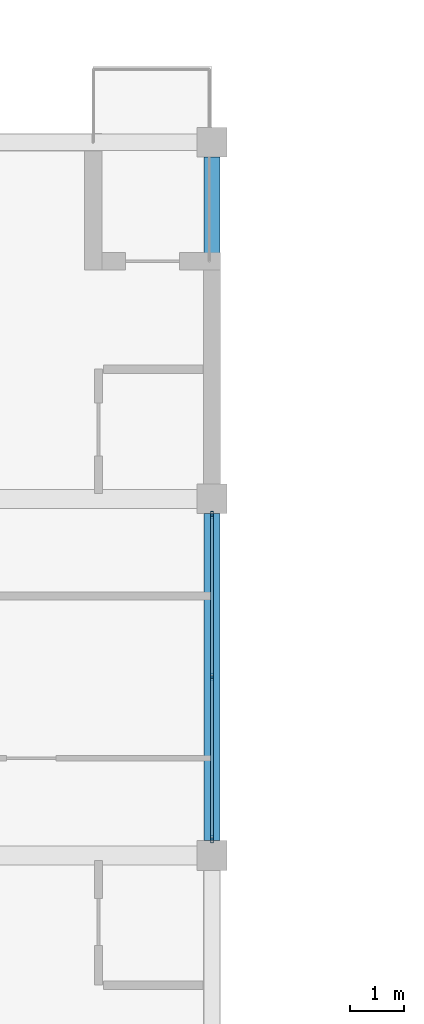
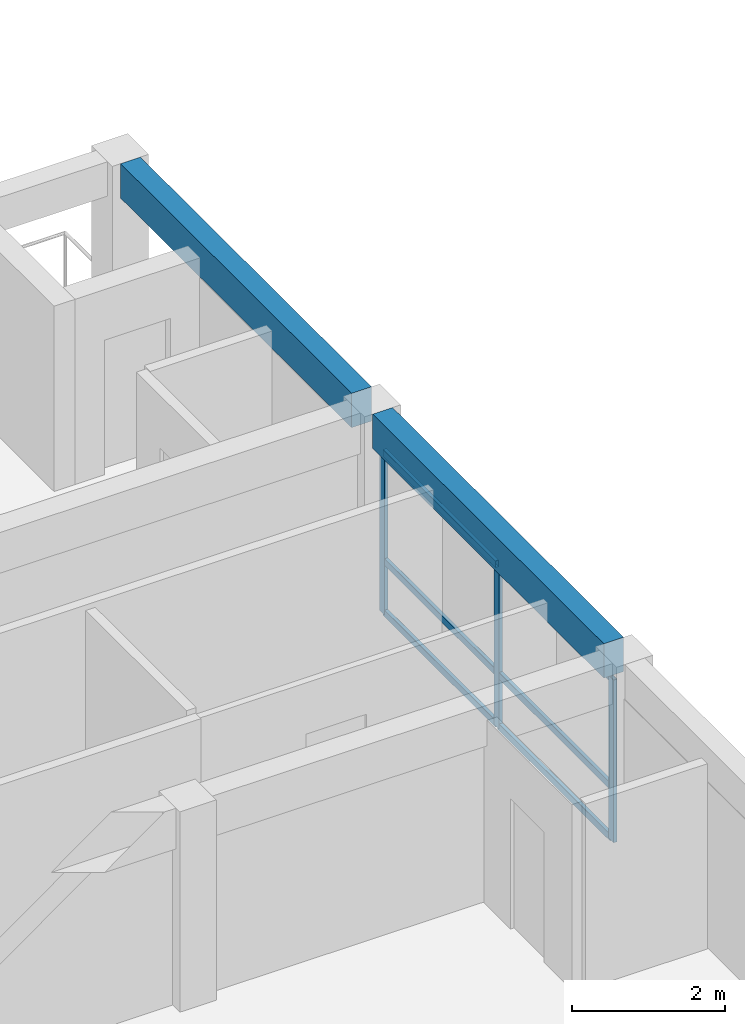
# One storey, part 18 of 53: 9 members, 2 beams, 1 element without a shape of its own.
"""IFC4 building model written with IfcOpenShell, lengths in metres."""

from ifc_helpers import new_model, si_unit, direction, frame, origin, origin_2d, place, context, subcontext, project, spatial, rectangle, hollow_rectangle, extrude, material, material_profile, profile_set, type_object, element, aggregate, save


model = new_model("IFC4")

# Units and contexts
model_context = context("Model", 3, precision=1e-05, world=origin(), true_north=direction((0.0, 1.0)))
body_context = subcontext(model_context, "Body", "Model", "MODEL_VIEW")
ifc_project = project(units=[si_unit("LENGTHUNIT", "METRE"), si_unit("AREAUNIT", "SQUARE_METRE"), si_unit("VOLUMEUNIT", "CUBIC_METRE"), si_unit("PLANEANGLEUNIT", "RADIAN"), si_unit("MASSUNIT", "GRAM", prefix="KILO")], contexts=[model_context])

# Site, building, storey
site_placement = place(None, origin())
site = spatial("IfcSite", under=ifc_project, at=site_placement, CompositionType="ELEMENT")
building_placement = place(site_placement, origin())
building = spatial("IfcBuilding", under=site, at=building_placement, Name="Kernevlak Ridge Housing Community", CompositionType="ELEMENT")
storey_placement = place(building_placement, frame((0.0, 0.0, 18.0)))
storey = spatial("IfcBuildingStorey", under=building, at=storey_placement, Name="L05", CompositionType="ELEMENT", Elevation=18.0)

# Curtain wall, members
ifc_material_1 = material(Name="Aluminium EN AW-6060 anodised and laminated glass", Category="aluminium")
curtain_wall_type = type_object("IfcCurtainWallType", Name="CW-11", PredefinedType="NOTDEFINED", material=ifc_material_1)
curtain_wall_placement = place(storey_placement, origin())
curtain_wall = element("IfcCurtainWall", 1, at=curtain_wall_placement, inside=storey, type_object=curtain_wall_type, Name="Curtain wall CW-11 CW-L05-018", PredefinedType="NOTDEFINED")
ifc_material_2 = material(Name="Aluminium EN AW-6060 anodised", Category="aluminium")
ifc_material_profile_1 = material_profile(ifc_material_2, hollow_rectangle(XDim=0.054931640625, YDim=0.139892578125, WallThickness=0.00390625, InnerFilletRadius=0.001953125, OuterFilletRadius=0.00390625, at=origin_2d()), Name="ALU 55x140x4")
ifc_profile_set_1 = profile_set([ifc_material_profile_1], Name="Aluminium EN AW-6060 anodised")
member_type_1 = type_object("IfcMemberType", Name="MU-01", PredefinedType="MULLION", material=ifc_profile_set_1)
member_1_placement = place(storey_placement, frame((48.60009765625, 82.902587890625, 0.0), z_axis=(0.0, 0.0, 1.0), x_axis=(-1.0, 0.0, 0.0)))
member_1 = element("IfcMember", 2, at=member_1_placement, type_object=member_type_1, Name="CW-11 mullion 1", PredefinedType="MULLION", context=body_context, shape_type="SweptSolid", body=[
    extrude(hollow_rectangle(XDim=0.054931640625, YDim=0.139892578125, WallThickness=0.00390625, InnerFilletRadius=0.001953125, OuterFilletRadius=0.00390625, at=origin_2d()), origin(), (0.0, 0.0, 1.0), 2.60009765625),
])
member_2_placement = place(storey_placement, frame((48.60009765625, 85.89990234375, 0.0), z_axis=(0.0, 0.0, 1.0), x_axis=(-1.0, 0.0, 0.0)))
member_2 = element("IfcMember", 3, at=member_2_placement, type_object=member_type_1, Name="CW-11 mullion 2", PredefinedType="MULLION", context=body_context, shape_type="SweptSolid", body=[
    extrude(hollow_rectangle(XDim=0.054931640625, YDim=0.139892578125, WallThickness=0.00390625, InnerFilletRadius=0.001953125, OuterFilletRadius=0.00390625, at=origin_2d()), origin(), (0.0, 0.0, 1.0), 2.60009765625),
])
member_3_placement = place(storey_placement, frame((48.60009765625, 88.8974609375, 0.0), z_axis=(0.0, 0.0, 1.0), x_axis=(-1.0, 0.0, 0.0)))
member_3 = element("IfcMember", 4, at=member_3_placement, type_object=member_type_1, Name="CW-11 mullion 3", PredefinedType="MULLION", context=body_context, shape_type="SweptSolid", body=[
    extrude(hollow_rectangle(XDim=0.054931640625, YDim=0.139892578125, WallThickness=0.00390625, InnerFilletRadius=0.001953125, OuterFilletRadius=0.00390625, at=origin_2d()), origin(), (0.0, 0.0, 1.0), 2.60009765625),
])

# Beams
ifc_material_3 = material(Name="Concrete C35/45", Category="concrete")
ifc_material_profile_2 = material_profile(ifc_material_3, rectangle(XDim=0.300048828125, YDim=0.550048828125, at=origin_2d()), Name="RC 300x550")
ifc_profile_set_2 = profile_set([ifc_material_profile_2], Name="Concrete C35/45")
beam_type = type_object("IfcBeamType", Name="SP-01", PredefinedType="SPANDREL", material=ifc_profile_set_2)
beam_1_placement = place(storey_placement, frame((48.60009765625, 82.875, 2.925048828125), z_axis=(0.0, 1.0, 0.0), x_axis=(-1.0, 0.0, 0.0)))
element("IfcBeam", 5, at=beam_1_placement, inside=storey, type_object=beam_type, Name="Beam SP-01 L05 211", PredefinedType="SPANDREL", context=body_context, shape_type="SweptSolid", body=[
    extrude(rectangle(XDim=0.300048828125, YDim=0.550048828125, at=origin_2d()), origin(), (0.0, 0.0, 1.0), 6.050048828125),
])
beam_2_placement = place(storey_placement, frame((48.60009765625, 89.47509765625, 2.925048828125), z_axis=(0.0, 1.0, 0.0), x_axis=(-1.0, 0.0, 0.0)))
element("IfcBeam", 6, at=beam_2_placement, inside=storey, type_object=beam_type, Name="Beam SP-01 L05 212", PredefinedType="SPANDREL", context=body_context, shape_type="SweptSolid", body=[
    extrude(rectangle(XDim=0.300048828125, YDim=0.550048828125, at=origin_2d()), origin(), (0.0, 0.0, 1.0), 6.0498046875),
])

# Member
ifc_material_profile_3 = material_profile(ifc_material_2, hollow_rectangle(XDim=0.054931640625, YDim=0.110107421875, WallThickness=0.00390625, InnerFilletRadius=0.001953125, OuterFilletRadius=0.00390625, at=origin_2d()), Name="ALU 55x110x4")
ifc_profile_set_3 = profile_set([ifc_material_profile_3], Name="Aluminium EN AW-6060 anodised")
member_type_2 = type_object("IfcMemberType", Name="TM-01", PredefinedType="USERDEFINED", material=ifc_profile_set_3)
member_4_placement = place(storey_placement, frame((48.60009765625, 82.929931640625, 0.027587890625), z_axis=(0.0, 1.0, 0.0), x_axis=(-1.0, 0.0, 0.0)))
member_4 = element("IfcMember", 7, at=member_4_placement, type_object=member_type_2, Name="CW-11 transom 1.1", ObjectType="TRANSOM", PredefinedType="USERDEFINED", context=body_context, shape_type="SweptSolid", body=[
    extrude(hollow_rectangle(XDim=0.054931640625, YDim=0.110107421875, WallThickness=0.00390625, InnerFilletRadius=0.001953125, OuterFilletRadius=0.00390625, at=origin_2d()), origin(), (0.0, 0.0, 1.0), 2.942626953125),
])

member_5_placement = place(storey_placement, frame((48.60009765625, 82.929931640625, 0.85009765625), z_axis=(0.0, 1.0, 0.0), x_axis=(-1.0, 0.0, 0.0)))
member_5 = element("IfcMember", 8, at=member_5_placement, type_object=member_type_2, Name="CW-11 transom 1.2", ObjectType="TRANSOM", PredefinedType="USERDEFINED", context=body_context, shape_type="SweptSolid", body=[
    extrude(hollow_rectangle(XDim=0.054931640625, YDim=0.110107421875, WallThickness=0.00390625, InnerFilletRadius=0.001953125, OuterFilletRadius=0.00390625, at=origin_2d()), origin(), (0.0, 0.0, 1.0), 2.942626953125),
])

member_6_placement = place(storey_placement, frame((48.60009765625, 82.929931640625, 2.572509765625), z_axis=(0.0, 1.0, 0.0), x_axis=(-1.0, 0.0, 0.0)))
member_6 = element("IfcMember", 9, at=member_6_placement, type_object=member_type_2, Name="CW-11 transom 1.3", ObjectType="TRANSOM", PredefinedType="USERDEFINED", context=body_context, shape_type="SweptSolid", body=[
    extrude(hollow_rectangle(XDim=0.054931640625, YDim=0.110107421875, WallThickness=0.00390625, InnerFilletRadius=0.001953125, OuterFilletRadius=0.00390625, at=origin_2d()), origin(), (0.0, 0.0, 1.0), 2.942626953125),
])

member_7_placement = place(storey_placement, frame((48.60009765625, 85.927490234375, 0.027587890625), z_axis=(0.0, 1.0, 0.0), x_axis=(-1.0, 0.0, 0.0)))
member_7 = element("IfcMember", 10, at=member_7_placement, type_object=member_type_2, Name="CW-11 transom 2.1", ObjectType="TRANSOM", PredefinedType="USERDEFINED", context=body_context, shape_type="SweptSolid", body=[
    extrude(hollow_rectangle(XDim=0.054931640625, YDim=0.110107421875, WallThickness=0.00390625, InnerFilletRadius=0.001953125, OuterFilletRadius=0.00390625, at=origin_2d()), origin(), (0.0, 0.0, 1.0), 2.942626953125),
])

member_8_placement = place(storey_placement, frame((48.60009765625, 85.927490234375, 0.85009765625), z_axis=(0.0, 1.0, 0.0), x_axis=(-1.0, 0.0, 0.0)))
member_8 = element("IfcMember", 11, at=member_8_placement, type_object=member_type_2, Name="CW-11 transom 2.2", ObjectType="TRANSOM", PredefinedType="USERDEFINED", context=body_context, shape_type="SweptSolid", body=[
    extrude(hollow_rectangle(XDim=0.054931640625, YDim=0.110107421875, WallThickness=0.00390625, InnerFilletRadius=0.001953125, OuterFilletRadius=0.00390625, at=origin_2d()), origin(), (0.0, 0.0, 1.0), 2.942626953125),
])

member_9_placement = place(storey_placement, frame((48.60009765625, 85.927490234375, 2.572509765625), z_axis=(0.0, 1.0, 0.0), x_axis=(-1.0, 0.0, 0.0)))
member_9 = element("IfcMember", 12, at=member_9_placement, type_object=member_type_2, Name="CW-11 transom 2.3", ObjectType="TRANSOM", PredefinedType="USERDEFINED", context=body_context, shape_type="SweptSolid", body=[
    extrude(hollow_rectangle(XDim=0.054931640625, YDim=0.110107421875, WallThickness=0.00390625, InnerFilletRadius=0.001953125, OuterFilletRadius=0.00390625, at=origin_2d()), origin(), (0.0, 0.0, 1.0), 2.942626953125),
])

aggregate(curtain_wall, [member_1, member_2, member_3, member_4, member_5, member_6, member_7, member_8, member_9])

save(model, "model.ifc")
